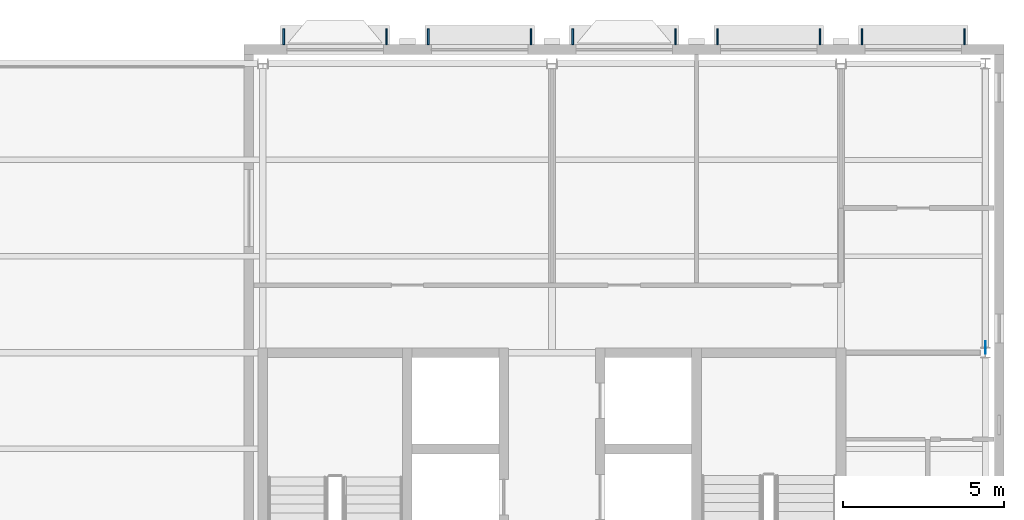
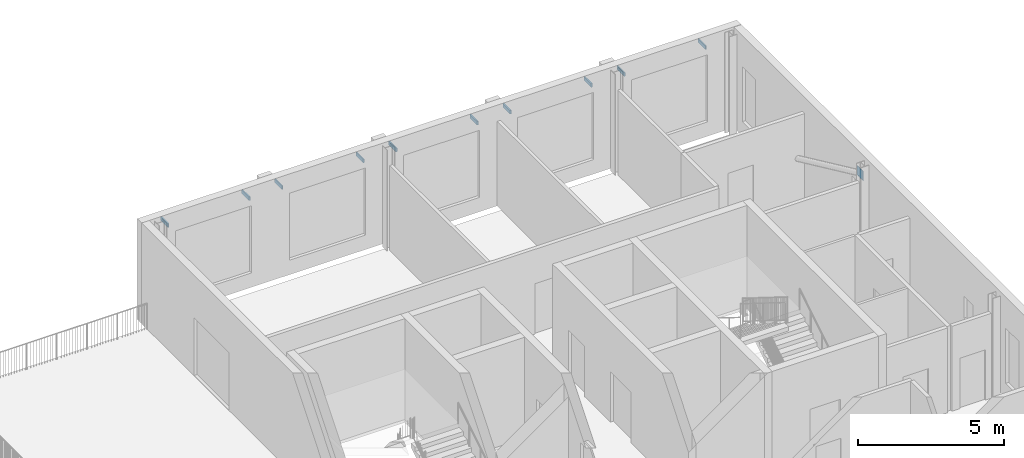
# One storey, part 4 of 7: 11 discrete accessories.
"""IFC4 building model written with IfcOpenShell, lengths in metres."""

from ifc_helpers import new_model, si_unit, direction, frame, origin, origin_2d, place, context, subcontext, project, spatial, rectangle, extrude, material, layer, layer_set, type_object, element, save


model = new_model("IFC4")

# Units and contexts
model_context = context("Model", 3, precision=1e-05, world=origin(), true_north=direction((0.0, 1.0)))
body_context = subcontext(model_context, "Body", "Model", "MODEL_VIEW")
ifc_project = project(units=[si_unit("LENGTHUNIT", "METRE"), si_unit("AREAUNIT", "SQUARE_METRE"), si_unit("VOLUMEUNIT", "CUBIC_METRE"), si_unit("PLANEANGLEUNIT", "RADIAN"), si_unit("MASSUNIT", "GRAM", prefix="KILO")], contexts=[model_context])

# Site, building, storey
site_placement = place(None, origin())
site = spatial("IfcSite", under=ifc_project, at=site_placement, CompositionType="ELEMENT")
building_placement = place(site_placement, origin())
building = spatial("IfcBuilding", under=site, at=building_placement, Name="Hortulan Conservatory and Botanical Research Centre", CompositionType="ELEMENT")
storey_placement = place(building_placement, frame((0.0, 0.0, 61.199951171875)))
storey = spatial("IfcBuildingStorey", under=building, at=storey_placement, Name="L14", CompositionType="ELEMENT", Elevation=61.199951171875)

# Discrete accessories
ifc_material_1 = material(Name="Bronze-charcoal painted wrought iron", Category="metal")
ifc_layer = layer(ifc_material_1, 0.050048828125)
ifc_layer_set = layer_set([ifc_layer], Name="Blade Bracket 50x500x150")
discrete_accessory_type_1 = type_object("IfcDiscreteAccessoryType", Name="Blade Bracket 50x500x150", PredefinedType="BRACKET", material=ifc_layer_set)
for number, where, z_axis, x_axis, name in (
    (1, (9.64990234375, 27.8359375, 3.400146484375), (0.0, 0.0, 1.0), (1.0, 0.0, 0.0), "Blade bracket"),
    (2, (12.85009765625, 27.8359375, 3.400146484375), (0.0, 0.0, 1.0), (1.0, 0.0, 0.0), "Blade bracket"),
    (3, (14.14990234375, 27.8359375, 3.400146484375), (0.0, 0.0, 1.0), (1.0, 0.0, 0.0), "Blade bracket"),
    (4, (17.35009765625, 27.8359375, 3.400146484375), (0.0, 0.0, 1.0), (1.0, 0.0, 0.0), "Blade bracket"),
    (5, (18.64990234375, 27.8359375, 3.400146484375), (0.0, 0.0, 1.0), (1.0, 0.0, 0.0), "Blade bracket"),
    (6, (21.85009765625, 27.8359375, 3.400146484375), (0.0, 0.0, 1.0), (1.0, 0.0, 0.0), "Blade bracket"),
    (7, (23.14990234375, 27.8359375, 3.400146484375), (0.0, 0.0, 1.0), (1.0, 0.0, 0.0), "Blade bracket"),
    (8, (26.35009765625, 27.8359375, 3.400146484375), (0.0, 0.0, 1.0), (1.0, 0.0, 0.0), "Blade bracket"),
    (9, (27.64990234375, 27.8359375, 3.400146484375), (0.0, 0.0, 1.0), (1.0, 0.0, 0.0), "Blade bracket"),
    (10, (30.85009765625, 27.8359375, 3.400146484375), (0.0, 0.0, 1.0), (1.0, 0.0, 0.0), "Blade bracket"),
):
    element("IfcDiscreteAccessory", number, at=place(storey_placement, frame(where, z_axis=z_axis, x_axis=x_axis)), inside=storey, type_object=discrete_accessory_type_1, Name=name, PredefinedType="BRACKET", context=body_context, shape_type="SweptSolid", body=[
        extrude(rectangle(XDim=0.050048828125, YDim=0.5, at=origin_2d()), origin(), (0.0, 0.0, 1.0), 0.14990234375),
    ])
ifc_material_2 = material(Name="Steel Grade 300 plate (AS/NZS 3678, 280 MPa minimum yield)", Category="steel")
discrete_accessory_type_2 = type_object("IfcDiscreteAccessoryType", Name="End Plate 400x16", PredefinedType="BRACKET", material=ifc_material_2)
discrete_accessory_placement = place(storey_placement, frame((31.5, 18.160400390625, 3.53173828125), z_axis=(0.0, 0.0, 1.0), x_axis=(0.0, -1.0, 0.0)))
element("IfcDiscreteAccessory", 11, at=discrete_accessory_placement, inside=storey, type_object=discrete_accessory_type_2, Name="Brace end plate", PredefinedType="BRACKET", context=body_context, shape_type="SweptSolid", body=[
    extrude(rectangle(XDim=0.39990234375, YDim=0.01611328125, at=origin_2d()), origin(), (0.0, 0.0, 1.0), 0.39990234375),
])

save(model, "model.ifc")
